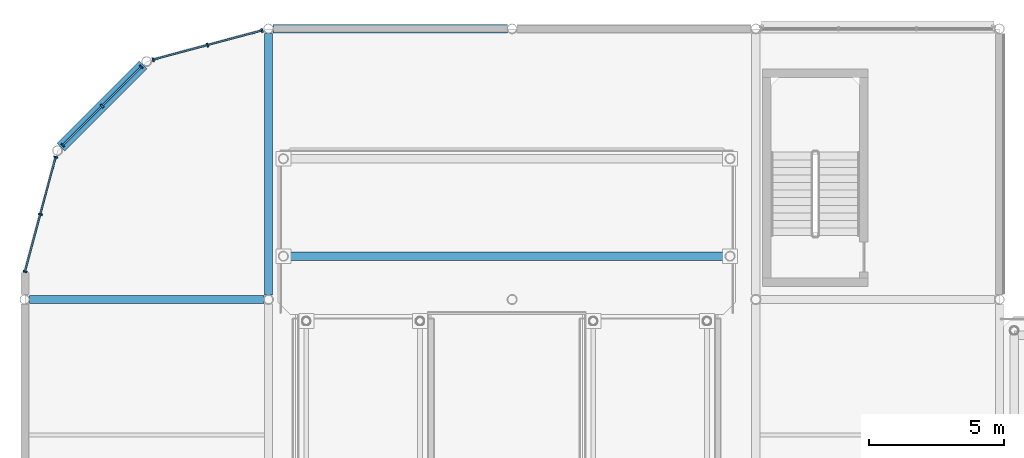
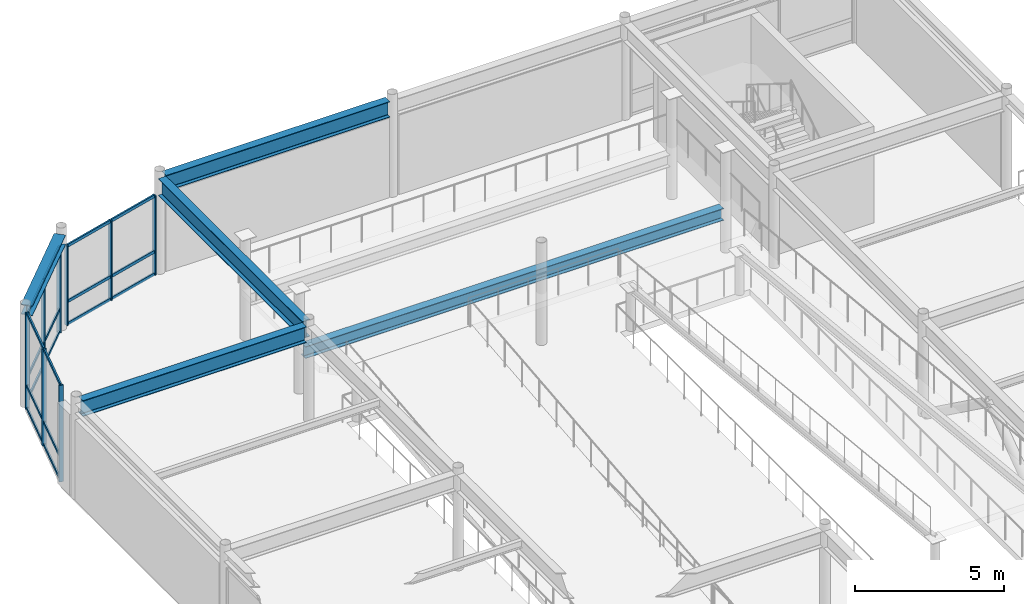
# One storey, part 22 of 70: 27 members, 5 beams, 3 elements without a shape of their own.
"""IFC4 building model written with IfcOpenShell, lengths in metres."""

from ifc_helpers import new_model, si_unit, direction, frame, origin, origin_2d, place, context, subcontext, project, spatial, rectangle, i_section, extrude, material, material_profile, profile_set, type_object, element, aggregate, save


model = new_model("IFC4")

# Units and contexts
model_context = context("Model", 3, precision=1e-05, world=origin(), true_north=direction((0.0, 1.0)))
body_context = subcontext(model_context, "Body", "Model", "MODEL_VIEW")
ifc_project = project(units=[si_unit("LENGTHUNIT", "METRE"), si_unit("AREAUNIT", "SQUARE_METRE"), si_unit("VOLUMEUNIT", "CUBIC_METRE"), si_unit("PLANEANGLEUNIT", "RADIAN"), si_unit("MASSUNIT", "GRAM", prefix="KILO")], contexts=[model_context])

# Site, building, storey
site_placement = place(None, origin())
site = spatial("IfcSite", under=ifc_project, at=site_placement, CompositionType="ELEMENT")
building_placement = place(site_placement, origin())
building = spatial("IfcBuilding", under=site, at=building_placement, Name="Suzunagisa Mobility Hub", CompositionType="ELEMENT")
storey_placement = place(building_placement, frame((0.0, 0.0, 13.5)))
storey = spatial("IfcBuildingStorey", under=building, at=storey_placement, Name="L03", CompositionType="ELEMENT", Elevation=13.5)

# Curtain wall, members
ifc_material_1 = material(Name="Thermally Broken Anodized Aluminum and Low-E Glazing", Category="aluminium")
curtain_wall_type_1 = type_object("IfcCurtainWallType", Name="Unitised Curtain Wall CW-01 4250x3200", PredefinedType="USERDEFINED", material=ifc_material_1)
curtain_wall_1_placement = place(storey_placement, origin())
curtain_wall_1 = element("IfcCurtainWall", 1, at=curtain_wall_1_placement, inside=storey, type_object=curtain_wall_type_1, Name="L03 Unitised Curtain Wall CW-76", ObjectType="UNITISED CURTAIN WALL", PredefinedType="USERDEFINED")
ifc_material_2 = material(Name="Anodized Aluminum 6063-T6", Category="aluminium")
ifc_material_profile_1 = material_profile(ifc_material_2, rectangle(XDim=0.06005859375, YDim=0.1201171875, at=origin_2d()), Name="TRAN-60x120")
ifc_profile_set_1 = profile_set([ifc_material_profile_1], Name="Anodized Aluminum 6063-T6")
member_type_1 = type_object("IfcMemberType", Name="Curtain Wall Framing CM-02 TRAN-60x120", PredefinedType="USERDEFINED", material=ifc_profile_set_1)
member_1_placement = place(storey_placement, frame((8.733642578125, 117.9287109375, 0.030029296875), z_axis=(-0.965906081949, -0.258892720742, 0.0), x_axis=(0.258892720742, -0.965906081949, 0.0)))
member_1 = element("IfcMember", 2, at=member_1_placement, type_object=member_type_1, Name="Curtain Wall Transom 76-T1.1", ObjectType="TRANSOM", PredefinedType="USERDEFINED", context=body_context, shape_type="SweptSolid", body=[
    extrude(rectangle(XDim=0.06005859375, YDim=0.1201171875, at=origin_2d()), origin(), (0.0, 0.0, 1.0), 2.025634765625),
])
member_2_placement = place(storey_placement, frame((8.733642578125, 117.9287109375, 0.949951171875), z_axis=(-0.965906081949, -0.258892720742, 0.0), x_axis=(0.258892720742, -0.965906081949, 0.0)))
member_2 = element("IfcMember", 3, at=member_2_placement, type_object=member_type_1, Name="Curtain Wall Transom 76-T1.2", ObjectType="TRANSOM", PredefinedType="USERDEFINED", context=body_context, shape_type="SweptSolid", body=[
    extrude(rectangle(XDim=0.06005859375, YDim=0.1201171875, at=origin_2d()), origin(), (0.0, 0.0, 1.0), 2.025634765625),
])
member_3_placement = place(storey_placement, frame((8.733642578125, 117.9287109375, 3.219970703125), z_axis=(-0.965906081949, -0.258892720742, 0.0), x_axis=(0.258892720742, -0.965906081949, 0.0)))
member_3 = element("IfcMember", 4, at=member_3_placement, type_object=member_type_1, Name="Curtain Wall Transom 76-T1.3", ObjectType="TRANSOM", PredefinedType="USERDEFINED", context=body_context, shape_type="SweptSolid", body=[
    extrude(rectangle(XDim=0.06005859375, YDim=0.1201171875, at=origin_2d()), origin(), (0.0, 0.0, 1.0), 2.025634765625),
])
member_4_placement = place(storey_placement, frame((6.722900390625, 117.389892578125, 0.030029296875), z_axis=(-0.965906081949, -0.258892720742, 0.0), x_axis=(0.258892720742, -0.965906081949, 0.0)))
member_4 = element("IfcMember", 5, at=member_4_placement, type_object=member_type_1, Name="Curtain Wall Transom 76-T2.1", ObjectType="TRANSOM", PredefinedType="USERDEFINED", context=body_context, shape_type="SweptSolid", body=[
    extrude(rectangle(XDim=0.06005859375, YDim=0.1201171875, at=origin_2d()), origin(), (0.0, 0.0, 1.0), 2.025634765625),
])
member_5_placement = place(storey_placement, frame((6.722900390625, 117.389892578125, 0.949951171875), z_axis=(-0.965906081949, -0.258892720742, 0.0), x_axis=(0.258892720742, -0.965906081949, 0.0)))
member_5 = element("IfcMember", 6, at=member_5_placement, type_object=member_type_1, Name="Curtain Wall Transom 76-T2.2", ObjectType="TRANSOM", PredefinedType="USERDEFINED", context=body_context, shape_type="SweptSolid", body=[
    extrude(rectangle(XDim=0.06005859375, YDim=0.1201171875, at=origin_2d()), origin(), (0.0, 0.0, 1.0), 2.025634765625),
])
member_6_placement = place(storey_placement, frame((6.722900390625, 117.389892578125, 3.219970703125), z_axis=(-0.965906081949, -0.258892720742, 0.0), x_axis=(0.258892720742, -0.965906081949, 0.0)))
member_6 = element("IfcMember", 7, at=member_6_placement, type_object=member_type_1, Name="Curtain Wall Transom 76-T2.3", ObjectType="TRANSOM", PredefinedType="USERDEFINED", context=body_context, shape_type="SweptSolid", body=[
    extrude(rectangle(XDim=0.06005859375, YDim=0.1201171875, at=origin_2d()), origin(), (0.0, 0.0, 1.0), 2.025634765625),
])

curtain_wall_type_2 = type_object("IfcCurtainWallType", Name="Unitised Curtain Wall CW-44 4250x3600", PredefinedType="USERDEFINED", material=ifc_material_1)
curtain_wall_2_placement = place(storey_placement, origin())
curtain_wall_2 = element("IfcCurtainWall", 8, at=curtain_wall_2_placement, inside=storey, type_object=curtain_wall_type_2, Name="L03 Unitised Curtain Wall CW-77", ObjectType="UNITISED CURTAIN WALL", PredefinedType="USERDEFINED")
member_7_placement = place(storey_placement, frame((4.28125, 116.575439453125, 0.030029296875), z_axis=(-0.707106781187, -0.707106781187, 0.0), x_axis=(0.707106781187, -0.707106781187, 0.0)))
member_7 = element("IfcMember", 9, at=member_7_placement, type_object=member_type_1, Name="Curtain Wall Transom 77-T1.1", ObjectType="TRANSOM", PredefinedType="USERDEFINED", context=body_context, shape_type="SweptSolid", body=[
    extrude(rectangle(XDim=0.06005859375, YDim=0.1201171875, at=origin_2d()), origin(), (0.0, 0.0, 1.0), 1.991943359375),
])
member_8_placement = place(storey_placement, frame((4.28125, 116.575439453125, 0.949951171875), z_axis=(-0.707106781187, -0.707106781187, 0.0), x_axis=(0.707106781187, -0.707106781187, 0.0)))
member_8 = element("IfcMember", 10, at=member_8_placement, type_object=member_type_1, Name="Curtain Wall Transom 77-T1.2", ObjectType="TRANSOM", PredefinedType="USERDEFINED", context=body_context, shape_type="SweptSolid", body=[
    extrude(rectangle(XDim=0.06005859375, YDim=0.1201171875, at=origin_2d()), origin(), (0.0, 0.0, 1.0), 1.991943359375),
])
member_9_placement = place(storey_placement, frame((4.28125, 116.575439453125, 3.52001953125), z_axis=(-0.707106781187, -0.707106781187, 0.0), x_axis=(0.707106781187, -0.707106781187, 0.0)))
member_9 = element("IfcMember", 11, at=member_9_placement, type_object=member_type_1, Name="Curtain Wall Transom 77-T1.3", ObjectType="TRANSOM", PredefinedType="USERDEFINED", context=body_context, shape_type="SweptSolid", body=[
    extrude(rectangle(XDim=0.06005859375, YDim=0.1201171875, at=origin_2d()), origin(), (0.0, 0.0, 1.0), 1.991943359375),
])
member_10_placement = place(storey_placement, frame((2.8330078125, 115.127197265625, 0.030029296875), z_axis=(-0.707106781187, -0.707106781187, 0.0), x_axis=(0.707106781187, -0.707106781187, 0.0)))
member_10 = element("IfcMember", 12, at=member_10_placement, type_object=member_type_1, Name="Curtain Wall Transom 77-T2.1", ObjectType="TRANSOM", PredefinedType="USERDEFINED", context=body_context, shape_type="SweptSolid", body=[
    extrude(rectangle(XDim=0.06005859375, YDim=0.1201171875, at=origin_2d()), origin(), (0.0, 0.0, 1.0), 1.991943359375),
])
member_11_placement = place(storey_placement, frame((2.8330078125, 115.127197265625, 0.949951171875), z_axis=(-0.707106781187, -0.707106781187, 0.0), x_axis=(0.707106781187, -0.707106781187, 0.0)))
member_11 = element("IfcMember", 13, at=member_11_placement, type_object=member_type_1, Name="Curtain Wall Transom 77-T2.2", ObjectType="TRANSOM", PredefinedType="USERDEFINED", context=body_context, shape_type="SweptSolid", body=[
    extrude(rectangle(XDim=0.06005859375, YDim=0.1201171875, at=origin_2d()), origin(), (0.0, 0.0, 1.0), 1.991943359375),
])
member_12_placement = place(storey_placement, frame((2.8330078125, 115.127197265625, 3.52001953125), z_axis=(-0.707106781187, -0.707106781187, 0.0), x_axis=(0.707106781187, -0.707106781187, 0.0)))
member_12 = element("IfcMember", 14, at=member_12_placement, type_object=member_type_1, Name="Curtain Wall Transom 77-T2.3", ObjectType="TRANSOM", PredefinedType="USERDEFINED", context=body_context, shape_type="SweptSolid", body=[
    extrude(rectangle(XDim=0.06005859375, YDim=0.1201171875, at=origin_2d()), origin(), (0.0, 0.0, 1.0), 1.991943359375),
])

curtain_wall_type_3 = type_object("IfcCurtainWallType", Name="Unitised Curtain Wall CW-42 4500x4000", PredefinedType="USERDEFINED", material=ifc_material_1)
curtain_wall_3_placement = place(storey_placement, origin())
curtain_wall_3 = element("IfcCurtainWall", 15, at=curtain_wall_3_placement, inside=storey, type_object=curtain_wall_type_3, Name="L03 Unitised Curtain Wall CW-78", ObjectType="UNITISED CURTAIN WALL", PredefinedType="USERDEFINED")
member_13_placement = place(storey_placement, frame((1.134521484375, 113.233642578125, 0.030029296875), z_axis=(-0.258943797706, -0.965892390295, 0.0), x_axis=(0.965892390295, -0.258943797706, 0.0)))
member_13 = element("IfcMember", 16, at=member_13_placement, type_object=member_type_1, Name="Curtain Wall Transom 78-T1.1", ObjectType="TRANSOM", PredefinedType="USERDEFINED", context=body_context, shape_type="SweptSolid", body=[
    extrude(rectangle(XDim=0.06005859375, YDim=0.1201171875, at=origin_2d()), origin(), (0.0, 0.0, 1.0), 2.134521484375),
])
member_14_placement = place(storey_placement, frame((1.134521484375, 113.233642578125, 0.949951171875), z_axis=(-0.258943797706, -0.965892390295, 0.0), x_axis=(0.965892390295, -0.258943797706, 0.0)))
member_14 = element("IfcMember", 17, at=member_14_placement, type_object=member_type_1, Name="Curtain Wall Transom 78-T1.2", ObjectType="TRANSOM", PredefinedType="USERDEFINED", context=body_context, shape_type="SweptSolid", body=[
    extrude(rectangle(XDim=0.06005859375, YDim=0.1201171875, at=origin_2d()), origin(), (0.0, 0.0, 1.0), 2.134521484375),
])
member_15_placement = place(storey_placement, frame((1.134521484375, 113.233642578125, 3.919921875), z_axis=(-0.258943797706, -0.965892390295, 0.0), x_axis=(0.965892390295, -0.258943797706, 0.0)))
member_15 = element("IfcMember", 18, at=member_15_placement, type_object=member_type_1, Name="Curtain Wall Transom 78-T1.3", ObjectType="TRANSOM", PredefinedType="USERDEFINED", context=body_context, shape_type="SweptSolid", body=[
    extrude(rectangle(XDim=0.06005859375, YDim=0.1201171875, at=origin_2d()), origin(), (0.0, 0.0, 1.0), 2.134521484375),
])
member_16_placement = place(storey_placement, frame((0.5673828125, 111.117919921875, 0.030029296875), z_axis=(-0.258837087522, -0.965920991657, 0.0), x_axis=(0.965920991657, -0.258837087522, 0.0)))
member_16 = element("IfcMember", 19, at=member_16_placement, type_object=member_type_1, Name="Curtain Wall Transom 78-T2.1", ObjectType="TRANSOM", PredefinedType="USERDEFINED", context=body_context, shape_type="SweptSolid", body=[
    extrude(rectangle(XDim=0.06005859375, YDim=0.1201171875, at=origin_2d()), origin(), (0.0, 0.0, 1.0), 2.134521484375),
])
member_17_placement = place(storey_placement, frame((0.5673828125, 111.117919921875, 0.949951171875), z_axis=(-0.258837087522, -0.965920991657, 0.0), x_axis=(0.965920991657, -0.258837087522, 0.0)))
member_17 = element("IfcMember", 20, at=member_17_placement, type_object=member_type_1, Name="Curtain Wall Transom 78-T2.2", ObjectType="TRANSOM", PredefinedType="USERDEFINED", context=body_context, shape_type="SweptSolid", body=[
    extrude(rectangle(XDim=0.06005859375, YDim=0.1201171875, at=origin_2d()), origin(), (0.0, 0.0, 1.0), 2.134521484375),
])
member_18_placement = place(storey_placement, frame((0.5673828125, 111.117919921875, 3.919921875), z_axis=(-0.258837087522, -0.965920991657, 0.0), x_axis=(0.965920991657, -0.258837087522, 0.0)))
member_18 = element("IfcMember", 21, at=member_18_placement, type_object=member_type_1, Name="Curtain Wall Transom 78-T2.3", ObjectType="TRANSOM", PredefinedType="USERDEFINED", context=body_context, shape_type="SweptSolid", body=[
    extrude(rectangle(XDim=0.06005859375, YDim=0.1201171875, at=origin_2d()), origin(), (0.0, 0.0, 1.0), 2.134521484375),
])

# Member
ifc_material_profile_2 = material_profile(ifc_material_2, rectangle(XDim=0.06005859375, YDim=0.14990234375, at=origin_2d()), Name="MULL-60x150")
ifc_profile_set_2 = profile_set([ifc_material_profile_2], Name="Anodized Aluminum 6063-T6")
member_type_2 = type_object("IfcMemberType", Name="Curtain Wall Framing CM-03 MULL-60x150", PredefinedType="MULLION", material=ifc_profile_set_2)
member_19_placement = place(storey_placement, frame((8.7607421875, 117.935791015625, 0.0), z_axis=(0.0, 0.0, 1.0), x_axis=(-0.965930084429, -0.258803152984, 0.0)))
member_19 = element("IfcMember", 22, at=member_19_placement, type_object=member_type_2, Name="Curtain Wall Mullion 76-M1", PredefinedType="MULLION", context=body_context, shape_type="SweptSolid", body=[
    extrude(rectangle(XDim=0.06005859375, YDim=0.14990234375, at=origin_2d()), origin(), (0.0, 0.0, 1.0), 3.25),
])

member_20_placement = place(storey_placement, frame((6.75, 117.397216796875, 0.0), z_axis=(0.0, 0.0, 1.0), x_axis=(-0.965930084429, -0.258803152984, 0.0)))
member_20 = element("IfcMember", 23, at=member_20_placement, type_object=member_type_2, Name="Curtain Wall Mullion 76-M2", PredefinedType="MULLION", context=body_context, shape_type="SweptSolid", body=[
    extrude(rectangle(XDim=0.06005859375, YDim=0.14990234375, at=origin_2d()), origin(), (0.0, 0.0, 1.0), 3.25),
])

member_21_placement = place(storey_placement, frame((4.7392578125, 116.8583984375, 0.0), z_axis=(0.0, 0.0, 1.0), x_axis=(-0.965930084429, -0.258803152984, 0.0)))
member_21 = element("IfcMember", 24, at=member_21_placement, type_object=member_type_2, Name="Curtain Wall Mullion 76-M3", PredefinedType="MULLION", context=body_context, shape_type="SweptSolid", body=[
    extrude(rectangle(XDim=0.06005859375, YDim=0.14990234375, at=origin_2d()), origin(), (0.0, 0.0, 1.0), 3.25),
])

aggregate(curtain_wall_1, [member_19, member_20, member_21, member_1, member_2, member_3, member_4, member_5, member_6])

member_22_placement = place(storey_placement, frame((4.301025390625, 116.59521484375, 0.0), z_axis=(0.0, 0.0, 1.0), x_axis=(-0.707106781187, -0.707106781187, 0.0)))
member_22 = element("IfcMember", 25, at=member_22_placement, type_object=member_type_2, Name="Curtain Wall Mullion 77-M1", PredefinedType="MULLION", context=body_context, shape_type="SweptSolid", body=[
    extrude(rectangle(XDim=0.06005859375, YDim=0.14990234375, at=origin_2d()), origin(), (0.0, 0.0, 1.0), 3.550048828125),
])

member_23_placement = place(storey_placement, frame((2.852783203125, 115.147216796875, 0.0), z_axis=(0.0, 0.0, 1.0), x_axis=(-0.707106781187, -0.707106781187, 0.0)))
member_23 = element("IfcMember", 26, at=member_23_placement, type_object=member_type_2, Name="Curtain Wall Mullion 77-M2", PredefinedType="MULLION", context=body_context, shape_type="SweptSolid", body=[
    extrude(rectangle(XDim=0.06005859375, YDim=0.14990234375, at=origin_2d()), origin(), (0.0, 0.0, 1.0), 3.550048828125),
])

member_24_placement = place(storey_placement, frame((1.40478515625, 113.698974609375, 0.0), z_axis=(0.0, 0.0, 1.0), x_axis=(-0.707106781187, -0.707106781187, 0.0)))
member_24 = element("IfcMember", 27, at=member_24_placement, type_object=member_type_2, Name="Curtain Wall Mullion 77-M3", PredefinedType="MULLION", context=body_context, shape_type="SweptSolid", body=[
    extrude(rectangle(XDim=0.06005859375, YDim=0.14990234375, at=origin_2d()), origin(), (0.0, 0.0, 1.0), 3.550048828125),
])

aggregate(curtain_wall_2, [member_22, member_23, member_24, member_7, member_8, member_9, member_10, member_11, member_12])

member_25_placement = place(storey_placement, frame((1.1416015625, 113.2607421875, 0.0), z_axis=(0.0, 0.0, 1.0), x_axis=(-0.258814496501, -0.965927045072, 0.0)))
member_25 = element("IfcMember", 28, at=member_25_placement, type_object=member_type_2, Name="Curtain Wall Mullion 78-M1", PredefinedType="MULLION", context=body_context, shape_type="SweptSolid", body=[
    extrude(rectangle(XDim=0.06005859375, YDim=0.14990234375, at=origin_2d()), origin(), (0.0, 0.0, 1.0), 3.949951171875),
])

member_26_placement = place(storey_placement, frame((0.57470703125, 111.14501953125, 0.0), z_axis=(0.0, 0.0, 1.0), x_axis=(-0.258814496501, -0.965927045072, 0.0)))
member_26 = element("IfcMember", 29, at=member_26_placement, type_object=member_type_2, Name="Curtain Wall Mullion 78-M2", PredefinedType="MULLION", context=body_context, shape_type="SweptSolid", body=[
    extrude(rectangle(XDim=0.06005859375, YDim=0.14990234375, at=origin_2d()), origin(), (0.0, 0.0, 1.0), 3.949951171875),
])

member_27_placement = place(storey_placement, frame((0.0078125, 109.029052734375, 0.0), z_axis=(0.0, 0.0, 1.0), x_axis=(-0.258814496501, -0.965927045072, 0.0)))
member_27 = element("IfcMember", 30, at=member_27_placement, type_object=member_type_2, Name="Curtain Wall Mullion 78-M3", PredefinedType="MULLION", context=body_context, shape_type="SweptSolid", body=[
    extrude(rectangle(XDim=0.06005859375, YDim=0.14990234375, at=origin_2d()), origin(), (0.0, 0.0, 1.0), 3.949951171875),
])

aggregate(curtain_wall_3, [member_25, member_26, member_27, member_13, member_14, member_15, member_16, member_17, member_18])

# Beams
ifc_material_3 = material(Name="Steel SN490B", Category="steel")
ifc_material_profile_3 = material_profile(ifc_material_3, i_section(OverallWidth=0.300048828125, OverallDepth=0.488037109375, WebThickness=0.010986328125, FlangeThickness=0.01806640625, FilletRadius=0.012939453125, at=origin_2d()), Name="H-488x300x11x18")
ifc_profile_set_3 = profile_set([ifc_material_profile_3], Name="Steel SN490B")
beam_type_1 = type_object("IfcBeamType", Name="Steel Beam BM-06 H-488x300x11x18", PredefinedType="BEAM", material=ifc_profile_set_3)
beam_1_placement = place(storey_placement, frame((9.7099609375, 109.60009765625, 1.60595703125), z_axis=(1.0, 0.0, 0.0), x_axis=(0.0, 1.0, 0.0)))
element("IfcBeam", 31, at=beam_1_placement, inside=storey, type_object=beam_type_1, Name="L03 Ramp Turn Deck Support Girder 2331", PredefinedType="BEAM", context=body_context, shape_type="SweptSolid", body=[
    extrude(i_section(OverallWidth=0.300048828125, OverallDepth=0.488037109375, WebThickness=0.010986328125, FlangeThickness=0.01806640625, FilletRadius=0.012939453125, at=origin_2d()), origin(), (0.0, 0.0, 1.0), 16.179931640625),
])
ifc_material_profile_4 = material_profile(ifc_material_3, i_section(OverallWidth=0.300048828125, OverallDepth=0.64990234375, WebThickness=0.012939453125, FlangeThickness=0.02197265625, FilletRadius=0.01611328125, at=origin_2d()), Name="H-650x300x13x22")
ifc_profile_set_4 = profile_set([ifc_material_profile_4], Name="Steel SN490B")
beam_type_2 = type_object("IfcBeamType", Name="Steel Beam BM-10 H-650x300x13x22", PredefinedType="BEAM", material=ifc_profile_set_4)
for number, where, z_axis, x_axis, name in (
    (32, (0.173828125, 108.0, 3.625), (1.0, 0.0, 0.0), (0.0, 1.0, 0.0), "L03 Primary Girder GX-562"),
    (33, (9.173828125, 118.0, 3.625), (1.0, 0.0, 0.0), (0.0, 1.0, 0.0), "L03 Primary Girder GX-564"),
):
    element("IfcBeam", number, at=place(storey_placement, frame(where, z_axis=z_axis, x_axis=x_axis)), inside=storey, type_object=beam_type_2, Name=name, PredefinedType="BEAM", context=body_context, shape_type="SweptSolid", body=[
        extrude(i_section(OverallWidth=0.300048828125, OverallDepth=0.64990234375, WebThickness=0.012939453125, FlangeThickness=0.02197265625, FilletRadius=0.01611328125, at=origin_2d()), origin(), (0.0, 0.0, 1.0), 8.65234375),
    ])
ifc_material_profile_5 = material_profile(ifc_material_3, i_section(OverallWidth=0.300048828125, OverallDepth=0.699951171875, WebThickness=0.012939453125, FlangeThickness=0.02392578125, FilletRadius=0.01806640625, at=origin_2d()), Name="H-700x300x13x24")
ifc_profile_set_5 = profile_set([ifc_material_profile_5], Name="Steel SN490B")
beam_type_3 = type_object("IfcBeamType", Name="Steel Beam BM-11 H-700x300x13x24", PredefinedType="BEAM", material=ifc_profile_set_5)
beam_2_placement = place(storey_placement, frame((9.0, 108.173828125, 3.60009765625), z_axis=(0.0, 1.0, 0.0), x_axis=(-1.0, 0.0, 0.0)))
element("IfcBeam", 34, at=beam_2_placement, inside=storey, type_object=beam_type_3, Name="L03 Primary Girder GY-572", PredefinedType="BEAM", context=body_context, shape_type="SweptSolid", body=[
    extrude(i_section(OverallWidth=0.300048828125, OverallDepth=0.699951171875, WebThickness=0.012939453125, FlangeThickness=0.02392578125, FilletRadius=0.01806640625, at=origin_2d()), origin(), (0.0, 0.0, 1.0), 9.65234375),
])
ifc_material_profile_6 = material_profile(ifc_material_3, i_section(OverallWidth=0.39990234375, OverallDepth=0.39990234375, WebThickness=0.012939453125, FlangeThickness=0.02099609375, FilletRadius=0.01611328125, at=origin_2d()), Name="H-400x400x13x21")
ifc_profile_set_6 = profile_set([ifc_material_profile_6], Name="Steel SN490B")
beam_type_4 = type_object("IfcBeamType", Name="Steel Beam BM-12 H-400x400x13x21", PredefinedType="SPANDREL", material=ifc_profile_set_6)
beam_3_placement = place(storey_placement, frame((4.374267578125, 116.66845703125, 3.75), z_axis=(-0.707106781187, -0.707106781187, 0.0), x_axis=(0.707106781187, -0.707106781187, 0.0)))
element("IfcBeam", 35, at=beam_3_placement, inside=storey, type_object=beam_type_4, Name="L03 Streamline Prow Spandrel 583", PredefinedType="SPANDREL", context=body_context, shape_type="SweptSolid", body=[
    extrude(i_section(OverallWidth=0.39990234375, OverallDepth=0.39990234375, WebThickness=0.012939453125, FlangeThickness=0.02099609375, FilletRadius=0.01611328125, at=origin_2d()), origin(), (0.0, 0.0, 1.0), 4.302978515625),
])

save(model, "model.ifc")
